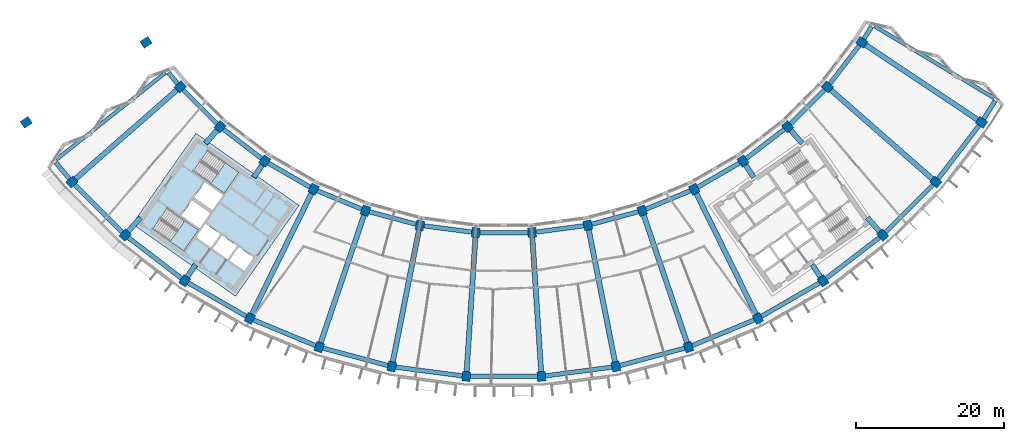
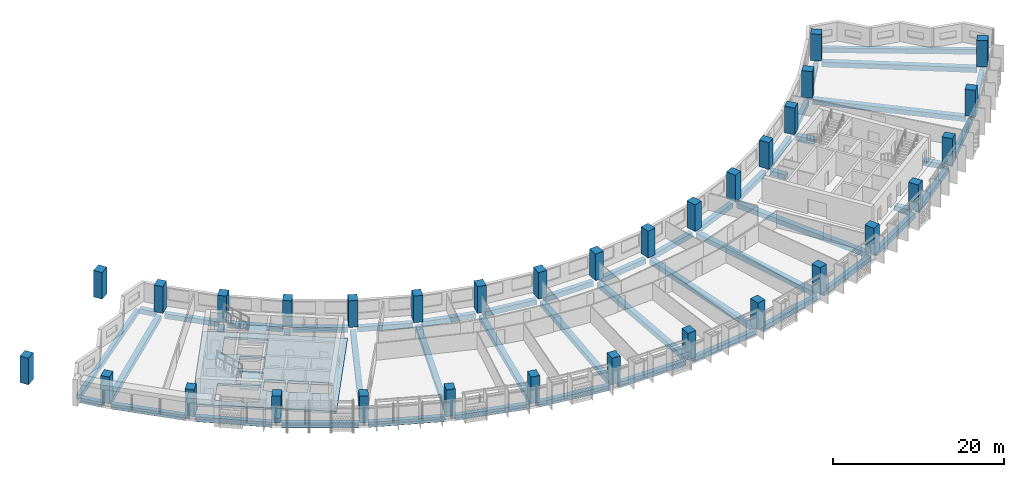
# One storey, part 1 of 27: 53 beams, 32 columns, 3 slabs, 2 elements without a shape of their own.
"""IFC4 building model written with IfcOpenShell, lengths in metres."""

import ifcopenshell
import ifcopenshell.guid

model = None  # the IFC model being written
_history = None  # IfcOwnerHistory: only IFC2X3 demands one
_inside = {}  # id of a spatial element -> (the spatial element, [elements in it])
_under = {}  # id of a project, library or spatial element -> (it, [spatial elements below it])
_declared = {}  # id of a project -> (the project, [libraries it declares])
_typed = {}  # id of a type object -> (the type object, [elements of that type])
_made_of = {}  # id of a material, layer set ... -> (it, [elements and type objects made of it])


def new_model(schema):
    """Start an empty IFC model of exactly this schema.

    Asked for "IFC4X3", IfcOpenShell would pick the latest addendum, in which some entities
    have other attributes; the version numbers below select the first issue.
    IFC2X3 requires an IfcOwnerHistory on every rooted entity: one is made here for all.
    """
    global model, _history
    if schema == "IFC4X3":
        model = ifcopenshell.file(schema_version=(4, 3, 0, 0))
    else:
        model = ifcopenshell.file(schema=schema)
    _inside.clear()
    _under.clear()
    _declared.clear()
    _typed.clear()
    _made_of.clear()
    _history = None
    if model.schema == "IFC2X3":
        org = make("IfcOrganization", Name="unknown")
        user = make(
            "IfcPersonAndOrganization",
            ThePerson=make("IfcPerson", FamilyName="unknown"),
            TheOrganization=org,
        )
        app = make(
            "IfcApplication",
            ApplicationDeveloper=org,
            Version="unknown",
            ApplicationFullName="unknown",
            ApplicationIdentifier="unknown",
        )
        _history = make(
            "IfcOwnerHistory",
            OwningUser=user,
            OwningApplication=app,
            ChangeAction="ADDED",
            CreationDate=0,
        )
    return model


def make(cls, **values):
    """One entity of the class cls with the attributes given. An attribute that is None is left unset."""
    return model.create_entity(
        cls, **{name: value for name, value in values.items() if value is not None}
    )


def rooted(cls, **values):
    """An entity with a GlobalId (a new one), such as an element, a storey or a relation."""
    return make(cls, GlobalId=ifcopenshell.guid.new(), OwnerHistory=_history, **values)


def si_unit(unit_type, name, prefix=None):
    """IfcSIUnit, for example si_unit("LENGTHUNIT", "METRE", prefix="MILLI")."""
    return make("IfcSIUnit", UnitType=unit_type, Prefix=prefix, Name=name)


def assignment(units):
    """IfcUnitAssignment: the units of a project."""
    return None if units is None else make("IfcUnitAssignment", Units=units)


def point(xyz):
    """IfcCartesianPoint."""
    return None if xyz is None else make("IfcCartesianPoint", Coordinates=xyz)


def direction(xyz):
    """IfcDirection."""
    return None if xyz is None else make("IfcDirection", DirectionRatios=xyz)


def frame(location, z_axis=None, x_axis=None):
    """IfcAxis2Placement3D, a coordinate frame: its origin and axes. An axis left out is left unset."""
    return make(
        "IfcAxis2Placement3D",
        Location=point(location),
        Axis=direction(z_axis),
        RefDirection=direction(x_axis),
    )


def frame_2d(location, x_axis=None):
    """IfcAxis2Placement2D, a coordinate frame in the plane: its origin and x axis."""
    return make(
        "IfcAxis2Placement2D", Location=point(location), RefDirection=direction(x_axis)
    )


def origin():
    """The frame at (0, 0, 0) with its axes left unset."""
    return frame((0.0, 0.0, 0.0))


def origin_2d():
    """The frame at (0, 0) in the plane with its x axis left unset."""
    return frame_2d((0.0, 0.0))


def place(relative_to, where):
    """IfcLocalPlacement: puts the frame where relative to a parent placement (None: the world)."""
    return make(
        "IfcLocalPlacement", PlacementRelTo=relative_to, RelativePlacement=where
    )


def context(
    kind, dimensions, precision=None, world=None, true_north=None, identifier=None
):
    """IfcGeometricRepresentationContext, for example the 3D "Model" context."""
    return make(
        "IfcGeometricRepresentationContext",
        ContextIdentifier=identifier,
        ContextType=kind,
        CoordinateSpaceDimension=dimensions,
        Precision=precision,
        WorldCoordinateSystem=world,
        TrueNorth=true_north,
    )


def subcontext(parent, identifier, kind, view, scale=None):
    """IfcGeometricRepresentationSubContext, for example "Body" below "Model"."""
    return make(
        "IfcGeometricRepresentationSubContext",
        ContextIdentifier=identifier,
        ContextType=kind,
        ParentContext=parent,
        TargetScale=scale,
        TargetView=view,
    )


def project(units=None, contexts=None):
    """IfcProject with its units and contexts."""
    return rooted(
        "IfcProject",
        Name="project",
        RepresentationContexts=contexts,
        UnitsInContext=assignment(units),
    )


def spatial(cls, under=None, at=None, **own):
    """A site, building, storey or space (cls), placed at a placement, below another one or the project."""
    s = rooted(cls, ObjectPlacement=at, **own)
    if under is not None:
        _under.setdefault(under.id(), (under, []))[1].append(s)
    return s


def polyline(points):
    """IfcPolyline through the points."""
    return make("IfcPolyline", Points=[point(p) for p in points])


def profile(cls, at=None, kind="AREA", **sizes):
    """A parametric profile (cls). Its sizes go by their IFC names, for example OverallWidth=200.0."""
    return make(cls, ProfileType=kind, Position=at, **sizes)


def rectangle(**sizes):
    """IfcRectangleProfileDef."""
    return profile("IfcRectangleProfileDef", **sizes)


def outline(outer, holes=None, kind="AREA"):
    """IfcArbitraryClosedProfileDef: a profile drawn as a closed curve; with holes, ...WithVoids."""
    if holes is None:
        return make("IfcArbitraryClosedProfileDef", ProfileType=kind, OuterCurve=outer)
    return make(
        "IfcArbitraryProfileDefWithVoids",
        ProfileType=kind,
        OuterCurve=outer,
        InnerCurves=holes,
    )


def extrude(swept, where, along, depth):
    """IfcExtrudedAreaSolid: the profile swept, set in the frame where, extruded along a direction by depth."""
    return make(
        "IfcExtrudedAreaSolid",
        SweptArea=swept,
        Position=where,
        ExtrudedDirection=direction(along),
        Depth=depth,
    )


def shape(context_of_items, identifier, shape_type, items):
    """IfcShapeRepresentation: the items that make up one representation, for example the "Body"."""
    return make(
        "IfcShapeRepresentation",
        ContextOfItems=context_of_items,
        RepresentationIdentifier=identifier,
        RepresentationType=shape_type,
        Items=items,
    )


def material(Name=None, Category=None):
    """IfcMaterial."""
    return make("IfcMaterial", Name=Name, Category=Category)


def layer(
    of_material, thickness, ventilated=None, Name=None, Category=None, Priority=None
):
    """IfcMaterialLayer: one layer of a wall or slab, of a material (None: an air gap)."""
    return make(
        "IfcMaterialLayer",
        Material=of_material,
        LayerThickness=thickness,
        IsVentilated=ventilated,
        Name=Name,
        Category=Category,
        Priority=Priority,
    )


def layer_set(layers, Name=None):
    """IfcMaterialLayerSet."""
    return make("IfcMaterialLayerSet", MaterialLayers=layers, LayerSetName=Name)


def material_profile(
    of_material, cross_section, Name=None, Category=None, Priority=None
):
    """IfcMaterialProfile: a cross section and its material."""
    return make(
        "IfcMaterialProfile",
        Name=Name,
        Material=of_material,
        Profile=cross_section,
        Priority=Priority,
        Category=Category,
    )


def profile_set(profiles, Name=None, composite=None):
    """IfcMaterialProfileSet."""
    return make(
        "IfcMaterialProfileSet",
        Name=Name,
        MaterialProfiles=profiles,
        CompositeProfile=composite,
    )


def made_of(thing, what):
    """Note that an element or type object is made of a material, layer set ...; save() writes the relation."""
    if what is not None:
        _made_of.setdefault(what.id(), (what, []))[1].append(thing)
    return thing


def type_object(cls, material=None, **own):
    """A type object (cls), such as IfcWallType, which elements share."""
    return made_of(rooted(cls, **own), material)


def element(
    cls,
    number,
    at=None,
    inside=None,
    cuts=None,
    type_object=None,
    material=None,
    context=None,
    identifier="Body",
    shape_type=None,
    held_by="IfcProductDefinitionShape",
    body=None,
    shapes=None,
    **own,
):
    """One element of the class cls, such as IfcWall. Its Tag is "e" and its number.

    at: its placement. inside: the storey or other place that contains it. cuts: it is an
    opening in that element (IfcRelVoidsElement). A single representation is given by context,
    identifier, shape_type and body (its items); several are given by shapes. held_by: the class
    of the entity that holds the representations. save() writes the other relations.
    """
    e = rooted(cls, Tag="e%d" % number, ObjectPlacement=at, **own)
    if body is not None:
        shapes = [shape(context, identifier, shape_type, body)]
    if shapes is not None:
        e.Representation = make(held_by, Representations=shapes)
    if inside is not None:
        _inside.setdefault(inside.id(), (inside, []))[1].append(e)
    if cuts is not None:
        rooted(
            "IfcRelVoidsElement", RelatingBuildingElement=cuts, RelatedOpeningElement=e
        )
    if type_object is not None:
        _typed.setdefault(type_object.id(), (type_object, []))[1].append(e)
    return made_of(e, material)


def aggregate(whole, parts):
    """IfcRelAggregates: a whole, such as a stair, and the parts it consists of."""
    return rooted("IfcRelAggregates", RelatingObject=whole, RelatedObjects=parts)


def save(model, path):
    """Write the relations noted so far, then the file.

    IfcRelAggregates (storeys below a building ...), IfcRelContainedInSpatialStructure (elements
    in a storey), IfcRelDefinesByType, IfcRelAssociatesMaterial and IfcRelDeclares: one each for
    every whole, place, type object, material and project.
    """
    for whole, parts in _under.values():
        aggregate(whole, parts)
    for where, things in _inside.values():
        rooted(
            "IfcRelContainedInSpatialStructure",
            RelatedElements=things,
            RelatingStructure=where,
        )
    for kind, things in _typed.values():
        rooted("IfcRelDefinesByType", RelatedObjects=things, RelatingType=kind)
    for what, things in _made_of.values():
        rooted("IfcRelAssociatesMaterial", RelatedObjects=things, RelatingMaterial=what)
    for by, libraries in _declared.values():
        rooted("IfcRelDeclares", RelatingContext=by, RelatedDefinitions=libraries)
    model.write(path)


model = new_model("IFC4")

# Units and contexts
model_context = context("Model", 3, precision=1e-05, world=origin(), true_north=direction((0.0, 1.0)))
body_context = subcontext(model_context, "Body", "Model", "MODEL_VIEW")
ifc_project = project(units=[si_unit("LENGTHUNIT", "METRE"), si_unit("AREAUNIT", "SQUARE_METRE"), si_unit("VOLUMEUNIT", "CUBIC_METRE"), si_unit("PLANEANGLEUNIT", "RADIAN"), si_unit("MASSUNIT", "GRAM", prefix="KILO")], contexts=[model_context])

# Site, building, storey
site_placement = place(None, origin())
site = spatial("IfcSite", under=ifc_project, at=site_placement, CompositionType="ELEMENT")
building_placement = place(site_placement, origin())
building = spatial("IfcBuilding", under=site, at=building_placement, Name="Qamariyya Broadcast Tower", CompositionType="ELEMENT")
storey_placement = place(building_placement, frame((0.0, 0.0, 194.89990234375)))
storey = spatial("IfcBuildingStorey", under=building, at=storey_placement, Name="L46", CompositionType="ELEMENT", Elevation=194.89990234375)

# Columns
ifc_material_1 = material(Name="Concrete C60/75", Category="concrete")
ifc_material_profile_1 = material_profile(ifc_material_1, rectangle(XDim=1.10009765625, YDim=1.300048828125, at=origin_2d()))
ifc_profile_set_1 = profile_set([ifc_material_profile_1], Name="Concrete C60/75")
column_type = type_object("IfcColumnType", Name="RC column 1100 x 1300 C60/75", PredefinedType="COLUMN", material=ifc_profile_set_1)
for number, where, z_axis, x_axis, name in (
    (1, (-43.794677734375, -38.406982421875, 0.0), (0.0, 0.0, 1.0), (0.6593458151, -0.751839807479, 0.0), "Column C8 L46 B-R04"),
    (2, (-58.45556640625, -51.26416015625, 0.0), (0.0, 0.0, 1.0), (0.6593458151, -0.751839807479, 0.0), "Column C8 L46 C-R04"),
    (3, (-38.406982421875, -43.794677734375, 0.0), (0.0, 0.0, 1.0), (0.751839807479, -0.6593458151, 0.0), "Column C8 L46 B-R05"),
    (4, (-51.26416015625, -58.45556640625, 0.0), (0.0, 0.0, 1.0), (0.751839807479, -0.6593458151, 0.0), "Column C8 L46 C-R05"),
    (5, (-32.362060546875, -48.43310546875, 0.0), (0.0, 0.0, 1.0), (0.831469612303, -0.55557023302, 0.0), "Column C8 L46 B-R06"),
    (6, (-43.195556640625, -64.646728515625, 0.0), (0.0, 0.0, 1.0), (0.831469612303, -0.55557023302, 0.0), "Column C8 L46 C-R06"),
    (7, (-25.763427734375, -52.242919921875, 0.0), (0.0, 0.0, 1.0), (0.896872741533, -0.442288690219, 0.0), "Column C8 L46 B-R07"),
    (8, (-34.387939453125, -69.73193359375, 0.0), (0.0, 0.0, 1.0), (0.896872741533, -0.442288690219, 0.0), "Column C8 L46 C-R07"),
    (9, (-18.723876953125, -55.15869140625, 0.0), (0.0, 0.0, 1.0), (0.946930129495, -0.321439465303, 0.0), "Column C8 L46 B-R08"),
    (10, (-24.991943359375, -73.623779296875, 0.0), (0.0, 0.0, 1.0), (0.946930129495, -0.321439465303, 0.0), "Column C8 L46 C-R08"),
    (11, (-11.364013671875, -57.130859375, 0.0), (0.0, 0.0, 1.0), (0.980785280403, -0.195090322016, 0.0), "Column C8 L46 B-R09"),
    (12, (-15.168212890625, -76.256103515625, 0.0), (0.0, 0.0, 1.0), (0.980785280403, -0.195090322016, 0.0), "Column C8 L46 C-R09"),
    (13, (-3.809814453125, -58.125244140625, 0.0), (0.0, 0.0, 1.0), (0.997858923239, -0.06540312923, 0.0), "Column C8 L46 B-R10"),
    (14, (-5.085205078125, -77.58349609375, 0.0), (0.0, 0.0, 1.0), (0.997858923239, -0.06540312923, 0.0), "Column C8 L46 C-R10"),
    (15, (3.809814453125, -58.125244140625, 0.0), (0.0, 0.0, 1.0), (0.997858923239, 0.06540312923, 0.0), "Column C8 L46 B-R11"),
    (16, (5.085205078125, -77.58349609375, 0.0), (0.0, 0.0, 1.0), (0.997858923239, 0.06540312923, 0.0), "Column C8 L46 C-R11"),
    (17, (11.364013671875, -57.130859375, 0.0), (0.0, 0.0, 1.0), (0.980785280403, 0.195090322016, 0.0), "Column C8 L46 B-R12"),
    (18, (15.168212890625, -76.256103515625, 0.0), (0.0, 0.0, 1.0), (0.980785280403, 0.195090322016, 0.0), "Column C8 L46 C-R12"),
    (19, (18.723876953125, -55.15869140625, 0.0), (0.0, 0.0, 1.0), (0.946930129495, 0.321439465303, 0.0), "Column C8 L46 B-R13"),
    (20, (24.991943359375, -73.623779296875, 0.0), (0.0, 0.0, 1.0), (0.946930129495, 0.321439465303, 0.0), "Column C8 L46 C-R13"),
    (21, (25.763427734375, -52.242919921875, 0.0), (0.0, 0.0, 1.0), (0.896872741533, 0.442288690219, 0.0), "Column C8 L46 B-R14"),
    (22, (34.387939453125, -69.73193359375, 0.0), (0.0, 0.0, 1.0), (0.896872741533, 0.442288690219, 0.0), "Column C8 L46 C-R14"),
    (23, (32.362060546875, -48.43310546875, 0.0), (0.0, 0.0, 1.0), (0.831469612303, 0.55557023302, 0.0), "Column C8 L46 B-R15"),
    (24, (43.195556640625, -64.646728515625, 0.0), (0.0, 0.0, 1.0), (0.831469612303, 0.55557023302, 0.0), "Column C8 L46 C-R15"),
    (25, (38.406982421875, -43.794677734375, 0.0), (0.0, 0.0, 1.0), (0.751839807479, 0.6593458151, 0.0), "Column C8 L46 B-R16"),
    (26, (51.26416015625, -58.45556640625, 0.0), (0.0, 0.0, 1.0), (0.751839807479, 0.6593458151, 0.0), "Column C8 L46 C-R16"),
    (27, (43.794677734375, -38.406982421875, 0.0), (0.0, 0.0, 1.0), (0.6593458151, 0.751839807479, 0.0), "Column C8 L46 B-R17"),
    (28, (58.45556640625, -51.26416015625, 0.0), (0.0, 0.0, 1.0), (0.6593458151, 0.751839807479, 0.0), "Column C8 L46 C-R17"),
    (29, (48.43310546875, -32.362060546875, 0.0), (0.0, 0.0, 1.0), (0.55557023302, 0.831469612303, 0.0), "Column C8 L46 B-R18"),
    (30, (64.646728515625, -43.195556640625, 0.0), (0.0, 0.0, 1.0), (0.55557023302, 0.831469612303, 0.0), "Column C8 L46 C-R18"),
    (31, (-48.43310546875, -32.362060546875, 0.0), (0.0, 0.0, 1.0), (0.55557023302, -0.831469612303, 0.0), "Column C8 L46 B-R03"),
    (32, (-64.646728515625, -43.195556640625, 0.0), (0.0, 0.0, 1.0), (0.55557023302, -0.831469612303, 0.0), "Column C8 L46 C-R03"),
):
    element("IfcColumn", number, at=place(storey_placement, frame(where, z_axis=z_axis, x_axis=x_axis)), inside=storey, type_object=column_type, Name=name, PredefinedType="COLUMN", context=body_context, shape_type="SweptSolid", body=[
        extrude(rectangle(XDim=1.10009765625, YDim=1.300048828125, at=origin_2d()), origin(), (0.0, 0.0, 1.0), 3.800048828125),
    ])

# Beams
ifc_material_2 = material(Name="Concrete C40/50", Category="concrete")
ifc_material_profile_2 = material_profile(ifc_material_2, rectangle(XDim=0.60009765625, YDim=0.699951171875, at=origin_2d()))
ifc_profile_set_2 = profile_set([ifc_material_profile_2], Name="Concrete C40/50")
beam_type_1 = type_object("IfcBeamType", Name="RC edge beam 600 x 700 C40/50", PredefinedType="SPANDREL", material=ifc_profile_set_2)
for number, where, z_axis, x_axis, name in (
    (33, (-43.405029296875, -38.796630859375, -0.64990234375), (0.707106781187, -0.707106781187, 0.0), (0.707106781187, 0.707106781187, 0.0), "Edge beam B20 L46 B R04-R05"),
    (34, (-37.9697265625, -44.130126953125, -0.64990234375), (0.793343406719, -0.608774374473, 0.0), (0.608774374473, 0.793343406719, 0.0), "Edge beam B20 L46 B R05-R06"),
):
    element("IfcBeam", number, at=place(storey_placement, frame(where, z_axis=z_axis, x_axis=x_axis)), inside=storey, type_object=beam_type_1, Name=name, PredefinedType="SPANDREL", context=body_context, shape_type="SweptSolid", body=[
        extrude(rectangle(XDim=0.60009765625, YDim=0.699951171875, at=origin_2d()), origin(), (0.0, 0.0, 1.0), 6.517333984375),
    ])
beam_1_placement = place(storey_placement, frame((-31.884521484375, -48.708740234375, -0.64990234375), z_axis=(0.866019015165, -0.500011065251, 0.0), x_axis=(0.500011065251, 0.866019015165, 0.0)))
element("IfcBeam", 35, at=beam_1_placement, inside=storey, type_object=beam_type_1, Name="Edge beam B20 L46 B R06-R07", PredefinedType="SPANDREL", context=body_context, shape_type="SweptSolid", body=[
    extrude(rectangle(XDim=0.60009765625, YDim=0.699951171875, at=origin_2d()), origin(), (0.0, 0.0, 1.0), 6.516845703125),
])
for number, where, z_axis, x_axis, name in (
    (36, (-25.254150390625, -52.453857421875, -0.64990234375), (0.923883967792, -0.382672724475, 0.0), (0.382672724475, 0.923883967792, 0.0), "Edge beam B20 L46 B R07-R08"),
    (37, (-18.19140625, -55.30126953125, -0.64990234375), (0.965923971679, -0.258825966504, 0.0), (0.258825966504, 0.965923971679, 0.0), "Edge beam B20 L46 B R08-R09"),
    (38, (-10.817626953125, -57.20263671875, -0.64990234375), (0.991446388377, -0.130514592953, 0.0), (0.130514592953, 0.991446388377, 0.0), "Edge beam B20 L46 B R09-R10"),
    (39, (-3.258544921875, -58.125244140625, -0.64990234375), (1.0, 0.0, 0.0), (0.0, 1.0, 0.0), "Edge beam B20 L46 B R10-R11"),
    (40, (4.356201171875, -58.05322265625, -0.64990234375), (0.991446388377, 0.130514592953, 0.0), (-0.130514592953, 0.991446388377, 0.0), "Edge beam B20 L46 B R11-R12"),
    (41, (11.896484375, -56.988037109375, -0.64990234375), (0.965923971679, 0.258825966504, 0.0), (-0.258825966504, 0.965923971679, 0.0), "Edge beam B20 L46 B R12-R13"),
    (42, (19.233154296875, -54.94775390625, -0.64990234375), (0.923883967792, 0.382672724475, 0.0), (-0.382672724475, 0.923883967792, 0.0), "Edge beam B20 L46 B R13-R14"),
):
    element("IfcBeam", number, at=place(storey_placement, frame(where, z_axis=z_axis, x_axis=x_axis)), inside=storey, type_object=beam_type_1, Name=name, PredefinedType="SPANDREL", context=body_context, shape_type="SweptSolid", body=[
        extrude(rectangle(XDim=0.60009765625, YDim=0.699951171875, at=origin_2d()), origin(), (0.0, 0.0, 1.0), 6.51708984375),
    ])
beam_2_placement = place(storey_placement, frame((26.24072265625, -51.96728515625, -0.64990234375), z_axis=(0.866019015165, 0.500011065251, 0.0), x_axis=(-0.500011065251, 0.866019015165, 0.0)))
element("IfcBeam", 43, at=beam_2_placement, inside=storey, type_object=beam_type_1, Name="Edge beam B20 L46 B R14-R15", PredefinedType="SPANDREL", context=body_context, shape_type="SweptSolid", body=[
    extrude(rectangle(XDim=0.60009765625, YDim=0.699951171875, at=origin_2d()), origin(), (0.0, 0.0, 1.0), 6.516845703125),
])
for number, where, z_axis, x_axis, name in (
    (44, (32.79931640625, -48.09765625, -0.64990234375), (0.793343406719, 0.608774374473, 0.0), (-0.608774374473, 0.793343406719, 0.0), "Edge beam B20 L46 B R15-R16"),
    (45, (38.796630859375, -43.405029296875, -0.64990234375), (0.707106781187, 0.707106781187, 0.0), (-0.707106781187, 0.707106781187, 0.0), "Edge beam B20 L46 B R16-R17"),
    (46, (44.130126953125, -37.9697265625, -0.64990234375), (0.608774374473, 0.793343406719, 0.0), (-0.793343406719, 0.608774374473, 0.0), "Edge beam B20 L46 B R17-R18"),
):
    element("IfcBeam", number, at=place(storey_placement, frame(where, z_axis=z_axis, x_axis=x_axis)), inside=storey, type_object=beam_type_1, Name=name, PredefinedType="SPANDREL", context=body_context, shape_type="SweptSolid", body=[
        extrude(rectangle(XDim=0.60009765625, YDim=0.699951171875, at=origin_2d()), origin(), (0.0, 0.0, 1.0), 6.517333984375),
    ])
beam_3_placement = place(storey_placement, frame((-58.06591796875, -51.65380859375, -0.64990234375), z_axis=(0.707106781187, -0.707106781187, 0.0), x_axis=(0.707106781187, 0.707106781187, 0.0)))
element("IfcBeam", 47, at=beam_3_placement, inside=storey, type_object=beam_type_1, Name="Edge beam B20 L46 C R04-R05", PredefinedType="SPANDREL", context=body_context, shape_type="SweptSolid", body=[
    extrude(rectangle(XDim=0.60009765625, YDim=0.699951171875, at=origin_2d()), origin(), (0.0, 0.0, 1.0), 9.068115234375),
])
for number, where, z_axis, x_axis, name in (
    (48, (-50.826904296875, -58.791015625, -0.64990234375), (0.793351056372, -0.608764405458, 0.0), (0.608764405458, 0.793351056372, 0.0), "Edge beam B20 L46 C R05-R06"),
    (49, (-42.71826171875, -64.92236328125, -0.64990234375), (0.866025972227, -0.499999015427, 0.0), (0.499999015427, 0.866025972227, 0.0), "Edge beam B20 L46 C R06-R07"),
):
    element("IfcBeam", number, at=place(storey_placement, frame(where, z_axis=z_axis, x_axis=x_axis)), inside=storey, type_object=beam_type_1, Name=name, PredefinedType="SPANDREL", context=body_context, shape_type="SweptSolid", body=[
        extrude(rectangle(XDim=0.60009765625, YDim=0.699951171875, at=origin_2d()), origin(), (0.0, 0.0, 1.0), 9.06787109375),
    ])
beam_4_placement = place(storey_placement, frame((-33.878662109375, -69.94287109375, -0.64990234375), z_axis=(0.923882618409, -0.382675982265, 0.0), x_axis=(0.382675982265, 0.923882618409, 0.0)))
element("IfcBeam", 50, at=beam_4_placement, inside=storey, type_object=beam_type_1, Name="Edge beam B20 L46 C R07-R08", PredefinedType="SPANDREL", context=body_context, shape_type="SweptSolid", body=[
    extrude(rectangle(XDim=0.60009765625, YDim=0.699951171875, at=origin_2d()), origin(), (0.0, 0.0, 1.0), 9.067626953125),
])
for number, where, z_axis, x_axis, name in (
    (51, (-24.45947265625, -73.766357421875, -0.64990234375), (0.965925457615, -0.258820421007, 0.0), (0.258820421007, 0.965925457615, 0.0), "Edge beam B20 L46 C R08-R09"),
    (52, (-14.621826171875, -76.327880859375, -0.64990234375), (0.991444762322, -0.130526944594, 0.0), (0.130526944594, 0.991444762322, 0.0), "Edge beam B20 L46 C R09-R10"),
    (53, (-4.533935546875, -77.58349609375, -0.64990234375), (1.0, 0.0, 0.0), (0.0, 1.0, 0.0), "Edge beam B20 L46 C R10-R11"),
    (54, (5.631591796875, -77.511474609375, -0.64990234375), (0.991444762322, 0.130526944594, 0.0), (-0.130526944594, 0.991444762322, 0.0), "Edge beam B20 L46 C R11-R12"),
    (55, (15.70068359375, -76.11328125, -0.64990234375), (0.965925457615, 0.258820421007, 0.0), (-0.258820421007, 0.965925457615, 0.0), "Edge beam B20 L46 C R12-R13"),
):
    element("IfcBeam", number, at=place(storey_placement, frame(where, z_axis=z_axis, x_axis=x_axis)), inside=storey, type_object=beam_type_1, Name=name, PredefinedType="SPANDREL", context=body_context, shape_type="SweptSolid", body=[
        extrude(rectangle(XDim=0.60009765625, YDim=0.699951171875, at=origin_2d()), origin(), (0.0, 0.0, 1.0), 9.06787109375),
    ])
beam_5_placement = place(storey_placement, frame((25.501220703125, -73.412841796875, -0.64990234375), z_axis=(0.923882618409, 0.382675982265, 0.0), x_axis=(-0.382675982265, 0.923882618409, 0.0)))
element("IfcBeam", 56, at=beam_5_placement, inside=storey, type_object=beam_type_1, Name="Edge beam B20 L46 C R13-R14", PredefinedType="SPANDREL", context=body_context, shape_type="SweptSolid", body=[
    extrude(rectangle(XDim=0.60009765625, YDim=0.699951171875, at=origin_2d()), origin(), (0.0, 0.0, 1.0), 9.067626953125),
])
for number, where, z_axis, x_axis, name in (
    (57, (34.865234375, -69.456298828125, -0.64990234375), (0.866025972227, 0.499999015427, 0.0), (-0.499999015427, 0.866025972227, 0.0), "Edge beam B20 L46 C R14-R15"),
    (58, (43.6328125, -64.311279296875, -0.64990234375), (0.793351056372, 0.608764405458, 0.0), (-0.608764405458, 0.793351056372, 0.0), "Edge beam B20 L46 C R15-R16"),
):
    element("IfcBeam", number, at=place(storey_placement, frame(where, z_axis=z_axis, x_axis=x_axis)), inside=storey, type_object=beam_type_1, Name=name, PredefinedType="SPANDREL", context=body_context, shape_type="SweptSolid", body=[
        extrude(rectangle(XDim=0.60009765625, YDim=0.699951171875, at=origin_2d()), origin(), (0.0, 0.0, 1.0), 9.06787109375),
    ])
beam_6_placement = place(storey_placement, frame((51.65380859375, -58.06591796875, -0.64990234375), z_axis=(0.707106781187, 0.707106781187, 0.0), x_axis=(-0.707106781187, 0.707106781187, 0.0)))
element("IfcBeam", 59, at=beam_6_placement, inside=storey, type_object=beam_type_1, Name="Edge beam B20 L46 C R16-R17", PredefinedType="SPANDREL", context=body_context, shape_type="SweptSolid", body=[
    extrude(rectangle(XDim=0.60009765625, YDim=0.699951171875, at=origin_2d()), origin(), (0.0, 0.0, 1.0), 9.068115234375),
])
beam_7_placement = place(storey_placement, frame((58.791015625, -50.826904296875, -0.64990234375), z_axis=(0.608764405458, 0.793351056372, 0.0), x_axis=(-0.793351056372, 0.608764405458, 0.0)))
element("IfcBeam", 60, at=beam_7_placement, inside=storey, type_object=beam_type_1, Name="Edge beam B20 L46 C R17-R18", PredefinedType="SPANDREL", context=body_context, shape_type="SweptSolid", body=[
    extrude(rectangle(XDim=0.60009765625, YDim=0.699951171875, at=origin_2d()), origin(), (0.0, 0.0, 1.0), 9.06787109375),
])
ifc_material_profile_3 = material_profile(ifc_material_2, rectangle(XDim=0.60009765625, YDim=0.699951171875, at=origin_2d()))
ifc_profile_set_3 = profile_set([ifc_material_profile_3], Name="Concrete C40/50")
beam_type_2 = type_object("IfcBeamType", Name="RC horn beam 600 x 700 C40/50", PredefinedType="BEAM", material=ifc_profile_set_3)
beam_8_placement = place(storey_placement, frame((-44.1474609375, -37.98486328125, -0.64990234375), z_axis=(-0.641322163747, 0.767271713467, 0.0), x_axis=(-0.767271713467, -0.641322163747, 0.0)))
element("IfcBeam", 61, at=beam_8_placement, inside=storey, type_object=beam_type_2, Name="Horn beam B19 L46 W B-R04", PredefinedType="BEAM", context=body_context, shape_type="SweptSolid", body=[
    extrude(rectangle(XDim=0.60009765625, YDim=0.699951171875, at=origin_2d()), origin(), (0.0, 0.0, 1.0), 1.961669921875),
])
beam_9_placement = place(storey_placement, frame((-58.808349609375, -50.842041015625, -0.64990234375), z_axis=(-0.641315337708, 0.767277418943, 0.0), x_axis=(-0.767277418944, -0.641315337708, 0.0)))
element("IfcBeam", 62, at=beam_9_placement, inside=storey, type_object=beam_type_2, Name="Horn beam B19 L46 W C-R04", PredefinedType="BEAM", context=body_context, shape_type="SweptSolid", body=[
    extrude(rectangle(XDim=0.60009765625, YDim=0.699951171875, at=origin_2d()), origin(), (0.0, 0.0, 1.0), 2.885986328125),
])
beam_10_placement = place(storey_placement, frame((48.727783203125, -31.8974609375, -0.64990234375), z_axis=(0.535715225301, 0.844398719433, 0.0), x_axis=(-0.844398719433, 0.535715225301, 0.0)))
element("IfcBeam", 63, at=beam_10_placement, inside=storey, type_object=beam_type_2, Name="Horn beam B19 L46 E B-R18", PredefinedType="BEAM", context=body_context, shape_type="SweptSolid", body=[
    extrude(rectangle(XDim=0.60009765625, YDim=0.699951171875, at=origin_2d()), origin(), (0.0, 0.0, 1.0), 1.96142578125),
])
beam_11_placement = place(storey_placement, frame((64.94140625, -42.73095703125, -0.64990234375), z_axis=(0.53575832997, 0.844371370824, 0.0), x_axis=(-0.844371370824, 0.53575832997, 0.0)))
element("IfcBeam", 64, at=beam_11_placement, inside=storey, type_object=beam_type_2, Name="Horn beam B19 L46 E C-R18", PredefinedType="BEAM", context=body_context, shape_type="SweptSolid", body=[
    extrude(rectangle(XDim=0.60009765625, YDim=0.699951171875, at=origin_2d()), origin(), (0.0, 0.0, 1.0), 2.885986328125),
])
ifc_material_profile_4 = material_profile(ifc_material_2, rectangle(XDim=0.5, YDim=0.699951171875, at=origin_2d()))
ifc_profile_set_4 = profile_set([ifc_material_profile_4], Name="Concrete C40/50")
beam_type_3 = type_object("IfcBeamType", Name="RC horn cap beam 500 x 700 C40/50", PredefinedType="BEAM", material=ifc_profile_set_4)
beam_12_placement = place(storey_placement, frame((-45.800537109375, -36.474853515625, -0.64990234375), z_axis=(-0.782244356527, -0.622971722216, 0.0), x_axis=(0.622971722216, -0.782244356527, 0.0)))
element("IfcBeam", 65, at=beam_12_placement, inside=storey, type_object=beam_type_3, Name="Horn cap beam B21 L46 W B-C", PredefinedType="BEAM", context=body_context, shape_type="SweptSolid", body=[
    extrude(rectangle(XDim=0.5, YDim=0.699951171875, at=origin_2d()), origin(), (0.0, 0.0, 1.0), 18.89990234375),
])
beam_13_placement = place(storey_placement, frame((50.169677734375, -30.1845703125, -0.64990234375), z_axis=(0.856867695985, -0.515536372701, 0.0), x_axis=(0.515536372701, 0.856867695985, 0.0)))
element("IfcBeam", 66, at=beam_13_placement, inside=storey, type_object=beam_type_3, Name="Horn cap beam B21 L46 E B-C", PredefinedType="BEAM", context=body_context, shape_type="SweptSolid", body=[
    extrude(rectangle(XDim=0.5, YDim=0.699951171875, at=origin_2d()), origin(), (0.0, 0.0, 1.0), 18.900146484375),
])
ifc_material_profile_5 = material_profile(ifc_material_2, rectangle(XDim=0.699951171875, YDim=0.699951171875, at=origin_2d()))
ifc_profile_set_5 = profile_set([ifc_material_profile_5], Name="Concrete C40/50")
beam_type_4 = type_object("IfcBeamType", Name="RC radial beam 700 x 700 C40/50", PredefinedType="BEAM", material=ifc_profile_set_5)
beam_14_placement = place(storey_placement, frame((-44.283447265625, -38.83544921875, -0.64990234375), z_axis=(-0.751839141307, -0.659346574723, 0.0), x_axis=(0.659346574723, -0.751839141307, 0.0)))
element("IfcBeam", 67, at=beam_14_placement, inside=storey, type_object=beam_type_4, Name="Radial beam B18 L46 R04 B-C", PredefinedType="BEAM", context=body_context, shape_type="SweptSolid", body=[
    extrude(rectangle(XDim=0.699951171875, YDim=0.699951171875, at=origin_2d()), origin(), (0.0, 0.0, 1.0), 18.199951171875),
])
beam_15_placement = place(storey_placement, frame((-38.83544921875, -44.283447265625, -0.64990234375), z_axis=(-0.659381501846, -0.751808509544, 0.0), x_axis=(0.751808509544, -0.659381501846, 0.0)))
element("IfcBeam", 68, at=beam_15_placement, inside=storey, type_object=beam_type_4, Name="Radial beam B18 L46 R05 B-C", PredefinedType="BEAM", context=body_context, shape_type="SweptSolid", body=[
    extrude(rectangle(XDim=0.699951171875, YDim=0.699951171875, at=origin_2d()), origin(), (0.0, 0.0, 1.0), 2.364013671875),
])
beam_16_placement = place(storey_placement, frame((-49.1943359375, -56.095458984375, -0.64990234375), z_axis=(-0.659344451764, -0.75184100309, 0.0), x_axis=(0.75184100309, -0.659344451764, 0.0)))
element("IfcBeam", 69, at=beam_16_placement, inside=storey, type_object=beam_type_4, Name="Radial beam B18 L46 R05 B-C", PredefinedType="BEAM", context=body_context, shape_type="SweptSolid", body=[
    extrude(rectangle(XDim=0.699951171875, YDim=0.699951171875, at=origin_2d()), origin(), (0.0, 0.0, 1.0), 2.489013671875),
])
beam_17_placement = place(storey_placement, frame((-32.72314453125, -48.9736328125, -0.64990234375), z_axis=(-0.555594913414, -0.83145312086, 0.0), x_axis=(0.83145312086, -0.555594913414, 0.0)))
element("IfcBeam", 70, at=beam_17_placement, inside=storey, type_object=beam_type_4, Name="Radial beam B18 L46 R06 B-C", PredefinedType="BEAM", context=body_context, shape_type="SweptSolid", body=[
    extrude(rectangle(XDim=0.699951171875, YDim=0.699951171875, at=origin_2d()), origin(), (0.0, 0.0, 1.0), 2.014404296875),
])
beam_18_placement = place(storey_placement, frame((-41.733154296875, -62.458251953125, -0.64990234375), z_axis=(-0.555637861027, -0.831424420734, 0.0), x_axis=(0.831424420734, -0.555637861027, 0.0)))
element("IfcBeam", 71, at=beam_18_placement, inside=storey, type_object=beam_type_4, Name="Radial beam B18 L46 R06 B-C", PredefinedType="BEAM", context=body_context, shape_type="SweptSolid", body=[
    extrude(rectangle(XDim=0.699951171875, YDim=0.699951171875, at=origin_2d()), origin(), (0.0, 0.0, 1.0), 1.982177734375),
])
beam_19_placement = place(storey_placement, frame((-26.05078125, -52.82568359375, -0.64990234375), z_axis=(-0.44228110273, -0.896876483228, 0.0), x_axis=(0.896876483228, -0.44228110273, 0.0)))
element("IfcBeam", 72, at=beam_19_placement, inside=storey, type_object=beam_type_4, Name="Radial beam B18 L46 R07 B-C", PredefinedType="BEAM", context=body_context, shape_type="SweptSolid", body=[
    extrude(rectangle(XDim=0.699951171875, YDim=0.699951171875, at=origin_2d()), origin(), (0.0, 0.0, 1.0), 18.2001953125),
])
beam_20_placement = place(storey_placement, frame((-18.932861328125, -55.774169921875, -0.64990234375), z_axis=(-0.321434466477, -0.946931826353, 0.0), x_axis=(0.946931826353, -0.321434466477, 0.0)))
element("IfcBeam", 73, at=beam_20_placement, inside=storey, type_object=beam_type_4, Name="Radial beam B18 L46 R08 B-C", PredefinedType="BEAM", context=body_context, shape_type="SweptSolid", body=[
    extrude(rectangle(XDim=0.699951171875, YDim=0.699951171875, at=origin_2d()), origin(), (0.0, 0.0, 1.0), 18.199951171875),
])
beam_21_placement = place(storey_placement, frame((-11.49072265625, -57.768310546875, -0.64990234375), z_axis=(-0.195097061093, -0.980783939893, 0.0), x_axis=(0.980783939893, -0.195097061093, 0.0)))
element("IfcBeam", 74, at=beam_21_placement, inside=storey, type_object=beam_type_4, Name="Radial beam B18 L46 R09 B-C", PredefinedType="BEAM", context=body_context, shape_type="SweptSolid", body=[
    extrude(rectangle(XDim=0.699951171875, YDim=0.699951171875, at=origin_2d()), origin(), (0.0, 0.0, 1.0), 18.2001953125),
])
for number, where, z_axis, x_axis, name in (
    (75, (-3.852294921875, -58.77392578125, -0.64990234375), (-0.065395361188, -0.997859432353, 0.0), (0.997859432353, -0.065395361188, 0.0), "Radial beam B18 L46 R10 B-C"),
    (76, (3.852294921875, -58.77392578125, -0.64990234375), (0.065395361188, -0.997859432353, 0.0), (0.997859432353, 0.065395361188, 0.0), "Radial beam B18 L46 R11 B-C"),
):
    element("IfcBeam", number, at=place(storey_placement, frame(where, z_axis=z_axis, x_axis=x_axis)), inside=storey, type_object=beam_type_4, Name=name, PredefinedType="BEAM", context=body_context, shape_type="SweptSolid", body=[
        extrude(rectangle(XDim=0.699951171875, YDim=0.699951171875, at=origin_2d()), origin(), (0.0, 0.0, 1.0), 18.199951171875),
    ])
beam_22_placement = place(storey_placement, frame((11.49072265625, -57.768310546875, -0.64990234375), z_axis=(0.195097061093, -0.980783939893, 0.0), x_axis=(0.980783939893, 0.195097061093, 0.0)))
element("IfcBeam", 77, at=beam_22_placement, inside=storey, type_object=beam_type_4, Name="Radial beam B18 L46 R12 B-C", PredefinedType="BEAM", context=body_context, shape_type="SweptSolid", body=[
    extrude(rectangle(XDim=0.699951171875, YDim=0.699951171875, at=origin_2d()), origin(), (0.0, 0.0, 1.0), 18.2001953125),
])
beam_23_placement = place(storey_placement, frame((18.932861328125, -55.774169921875, -0.64990234375), z_axis=(0.321434466477, -0.946931826353, 0.0), x_axis=(0.946931826353, 0.321434466477, 0.0)))
element("IfcBeam", 78, at=beam_23_placement, inside=storey, type_object=beam_type_4, Name="Radial beam B18 L46 R13 B-C", PredefinedType="BEAM", context=body_context, shape_type="SweptSolid", body=[
    extrude(rectangle(XDim=0.699951171875, YDim=0.699951171875, at=origin_2d()), origin(), (0.0, 0.0, 1.0), 18.199951171875),
])
beam_24_placement = place(storey_placement, frame((26.05078125, -52.82568359375, -0.64990234375), z_axis=(0.44228110273, -0.896876483228, 0.0), x_axis=(0.896876483228, 0.44228110273, 0.0)))
element("IfcBeam", 79, at=beam_24_placement, inside=storey, type_object=beam_type_4, Name="Radial beam B18 L46 R14 B-C", PredefinedType="BEAM", context=body_context, shape_type="SweptSolid", body=[
    extrude(rectangle(XDim=0.699951171875, YDim=0.699951171875, at=origin_2d()), origin(), (0.0, 0.0, 1.0), 18.2001953125),
])
beam_25_placement = place(storey_placement, frame((32.72314453125, -48.9736328125, -0.64990234375), z_axis=(0.555594913414, -0.83145312086, 0.0), x_axis=(0.83145312086, 0.555594913414, 0.0)))
element("IfcBeam", 80, at=beam_25_placement, inside=storey, type_object=beam_type_4, Name="Radial beam B18 L46 R15 B-C", PredefinedType="BEAM", context=body_context, shape_type="SweptSolid", body=[
    extrude(rectangle(XDim=0.699951171875, YDim=0.699951171875, at=origin_2d()), origin(), (0.0, 0.0, 1.0), 2.014404296875),
])
beam_26_placement = place(storey_placement, frame((41.733154296875, -62.458251953125, -0.64990234375), z_axis=(0.555637861027, -0.831424420734, 0.0), x_axis=(0.831424420734, 0.555637861027, 0.0)))
element("IfcBeam", 81, at=beam_26_placement, inside=storey, type_object=beam_type_4, Name="Radial beam B18 L46 R15 B-C", PredefinedType="BEAM", context=body_context, shape_type="SweptSolid", body=[
    extrude(rectangle(XDim=0.699951171875, YDim=0.699951171875, at=origin_2d()), origin(), (0.0, 0.0, 1.0), 1.982177734375),
])
beam_27_placement = place(storey_placement, frame((38.83544921875, -44.283447265625, -0.64990234375), z_axis=(0.659381501846, -0.751808509544, 0.0), x_axis=(0.751808509544, 0.659381501846, 0.0)))
element("IfcBeam", 82, at=beam_27_placement, inside=storey, type_object=beam_type_4, Name="Radial beam B18 L46 R16 B-C", PredefinedType="BEAM", context=body_context, shape_type="SweptSolid", body=[
    extrude(rectangle(XDim=0.699951171875, YDim=0.699951171875, at=origin_2d()), origin(), (0.0, 0.0, 1.0), 2.364013671875),
])
beam_28_placement = place(storey_placement, frame((49.1943359375, -56.095458984375, -0.64990234375), z_axis=(0.659344451764, -0.75184100309, 0.0), x_axis=(0.75184100309, 0.659344451764, 0.0)))
element("IfcBeam", 83, at=beam_28_placement, inside=storey, type_object=beam_type_4, Name="Radial beam B18 L46 R16 B-C", PredefinedType="BEAM", context=body_context, shape_type="SweptSolid", body=[
    extrude(rectangle(XDim=0.699951171875, YDim=0.699951171875, at=origin_2d()), origin(), (0.0, 0.0, 1.0), 2.489013671875),
])
beam_29_placement = place(storey_placement, frame((44.283447265625, -38.83544921875, -0.64990234375), z_axis=(0.751839141307, -0.659346574723, 0.0), x_axis=(0.659346574723, 0.751839141307, 0.0)))
element("IfcBeam", 84, at=beam_29_placement, inside=storey, type_object=beam_type_4, Name="Radial beam B18 L46 R17 B-C", PredefinedType="BEAM", context=body_context, shape_type="SweptSolid", body=[
    extrude(rectangle(XDim=0.699951171875, YDim=0.699951171875, at=origin_2d()), origin(), (0.0, 0.0, 1.0), 18.199951171875),
])
beam_30_placement = place(storey_placement, frame((48.9736328125, -32.72314453125, -0.64990234375), z_axis=(0.831467855631, -0.555572862056, 0.0), x_axis=(0.555572862056, 0.831467855631, 0.0)))
element("IfcBeam", 85, at=beam_30_placement, inside=storey, type_object=beam_type_4, Name="Radial beam B18 L46 R18 B-C", PredefinedType="BEAM", context=body_context, shape_type="SweptSolid", body=[
    extrude(rectangle(XDim=0.699951171875, YDim=0.699951171875, at=origin_2d()), origin(), (0.0, 0.0, 1.0), 18.19970703125),
])

# Slab
ifc_layer_1 = layer(ifc_material_2, 0.300048828125)
ifc_layer_set_1 = layer_set([ifc_layer_1], Name="Core floor slab 300 mm Concrete C40/50")
slab_type_1 = type_object("IfcSlabType", Name="Core floor slab 300 mm Concrete C40/50", PredefinedType="FLOOR", material=ifc_layer_set_1)
slab_1_placement = place(storey_placement, frame((0.0, 0.0, -0.2998046875)))
element("IfcSlab", 86, at=slab_1_placement, inside=storey, type_object=slab_type_1, Name="k-W-L46-slab", PredefinedType="FLOOR", context=body_context, shape_type="SweptSolid", body=[
    extrude(outline(polyline([(-50.286376953125, -56.95751953125), (-36.32373046875, -66.734375), (-27.719970703125, -54.447021484375), (-41.6826171875, -44.67041015625), (-50.286376953125, -56.95751953125)]), holes=[polyline([(-33.87353515625, -61.49169921875), (-35.88037109375, -60.08642578125), (-37.142333984375, -61.888427734375), (-35.13525390625, -63.293701171875), (-33.87353515625, -61.49169921875)]), polyline([(-36.126220703125, -59.914306640625), (-38.133056640625, -58.509033203125), (-39.394775390625, -60.311279296875), (-37.387939453125, -61.716552734375), (-36.126220703125, -59.914306640625)]), polyline([(-38.378662109375, -58.3369140625), (-40.3857421875, -56.931640625), (-41.6474609375, -58.73388671875), (-39.640625, -60.13916015625), (-38.378662109375, -58.3369140625)]), polyline([(-39.742431640625, -55.489990234375), (-42.199951171875, -53.769287109375), (-43.6337890625, -55.817138671875), (-41.17626953125, -57.537841796875), (-39.742431640625, -55.489990234375)]), polyline([(-39.45556640625, -55.080322265625), (-41.9130859375, -53.359619140625), (-40.47900390625, -51.311767578125), (-38.021728515625, -53.032470703125), (-39.45556640625, -55.080322265625)]), polyline([(-42.06103515625, -49.837890625), (-37.849609375, -52.78662109375), (-35.870849609375, -49.960693359375), (-40.082275390625, -47.01171875), (-42.06103515625, -49.837890625)]), polyline([(-47.538818359375, -57.66064453125), (-43.3271484375, -60.609619140625), (-41.348388671875, -57.783447265625), (-45.559814453125, -54.834716796875), (-47.538818359375, -57.66064453125)])]), origin(), (0.0, 0.0, 1.0), 0.2998046875),
])

# Stair, slab
ifc_material_3 = material(Name="Concrete C50/60", Category="concrete")
stair_type = type_object("IfcStairType", Name="Exit stair 22 risers of 173 mm", PredefinedType="HALF_TURN_STAIR", material=ifc_material_3)
stair_1_placement = place(storey_placement, origin())
stair_1 = element("IfcStair", 87, at=stair_1_placement, inside=storey, type_object=stair_type, Name="L46 Stair W2", PredefinedType="HALF_TURN_STAIR")
ifc_layer_2 = layer(ifc_material_3, 0.199951171875)
ifc_layer_set_2 = layer_set([ifc_layer_2], Name="Stair landing")
slab_type_2 = type_object("IfcSlabType", Name="Stair landing", PredefinedType="LANDING", material=ifc_layer_set_2)
slab_2_placement = place(storey_placement, frame((0.0, 0.0, 1.7001953125)))
slab_2 = element("IfcSlab", 88, at=slab_2_placement, type_object=slab_type_2, Name="ST-W2 landing 1", PredefinedType="LANDING", context=body_context, shape_type="SweptSolid", body=[
    extrude(outline(polyline([(-39.692138671875, -51.49658203125), (-37.849609375, -52.78662109375), (-35.870849609375, -49.960693359375), (-37.71337890625, -48.67041015625), (-39.692138671875, -51.49658203125)])), origin(), (0.0, 0.0, 1.0), 0.199951171875),
])
aggregate(stair_1, [slab_2])

stair_2_placement = place(storey_placement, origin())
stair_2 = element("IfcStair", 89, at=stair_2_placement, inside=storey, type_object=stair_type, Name="L46 Stair W1", PredefinedType="HALF_TURN_STAIR")
slab_3_placement = place(storey_placement, frame((0.0, 0.0, 1.7001953125)))
slab_3 = element("IfcSlab", 90, at=slab_3_placement, type_object=slab_type_2, Name="ST-W1 landing 1", PredefinedType="LANDING", context=body_context, shape_type="SweptSolid", body=[
    extrude(outline(polyline([(-45.169677734375, -59.319580078125), (-43.3271484375, -60.609619140625), (-41.348388671875, -57.783447265625), (-43.19091796875, -56.493408203125), (-45.169677734375, -59.319580078125)])), origin(), (0.0, 0.0, 1.0), 0.199951171875),
])
aggregate(stair_2, [slab_3])

save(model, "model.ifc")
